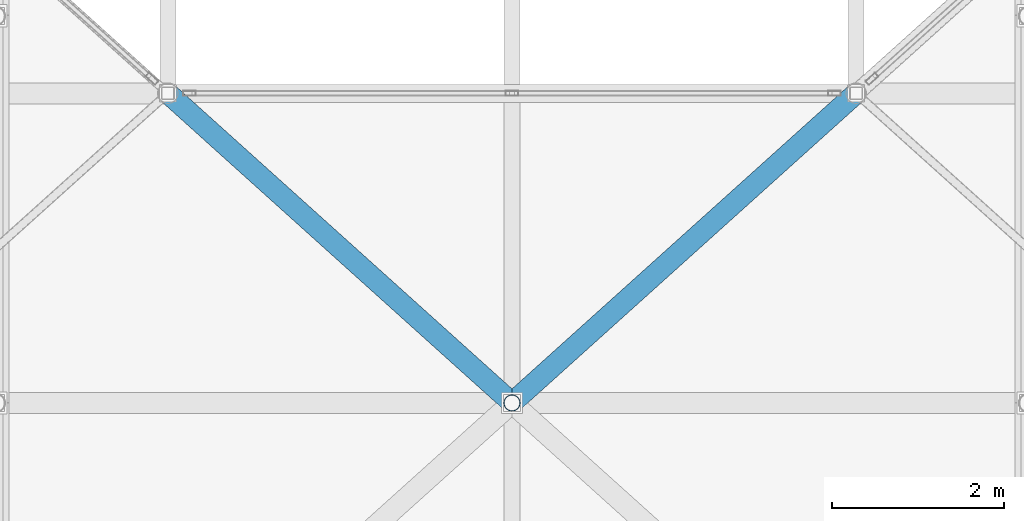
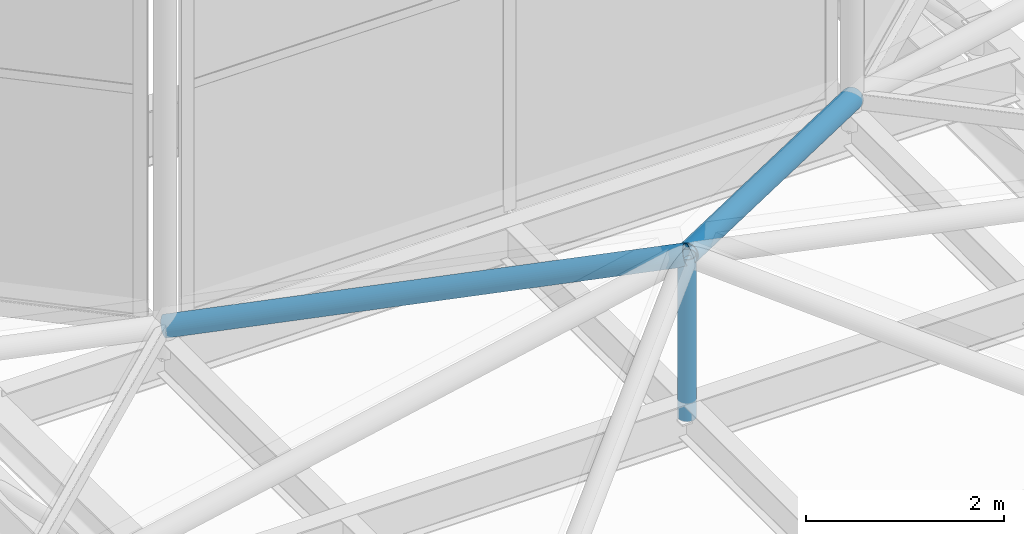
# One storey, part 114 of 239: 3 members.
"""IFC4 building model written with IfcOpenShell, lengths in metres."""

from ifc_helpers import new_model, si_unit, direction, frame, origin, origin_2d, place, context, subcontext, project, spatial, hollow_circle, extrude, material, material_profile, profile_set, type_object, element, save


model = new_model("IFC4")

# Units and contexts
model_context = context("Model", 3, precision=1e-05, world=origin(), true_north=direction((0.0, 1.0)))
body_context = subcontext(model_context, "Body", "Model", "MODEL_VIEW")
ifc_project = project(units=[si_unit("LENGTHUNIT", "METRE"), si_unit("AREAUNIT", "SQUARE_METRE"), si_unit("VOLUMEUNIT", "CUBIC_METRE"), si_unit("PLANEANGLEUNIT", "RADIAN"), si_unit("MASSUNIT", "GRAM", prefix="KILO")], contexts=[model_context])

# Site, building, storey
site_placement = place(None, origin())
site = spatial("IfcSite", under=ifc_project, at=site_placement, CompositionType="ELEMENT")
building_placement = place(site_placement, origin())
building = spatial("IfcBuilding", under=site, at=building_placement, Name="Dunvalen Ferry Terminal", CompositionType="ELEMENT")
storey_placement = place(building_placement, frame((0.0, 0.0, 9.840087890625)))
storey = spatial("IfcBuildingStorey", under=building, at=storey_placement, Name="L02", CompositionType="ELEMENT", Elevation=9.840087890625)

# Members
ifc_material = material(Name="Steel S355", Category="steel")
ifc_material_profile_1 = material_profile(ifc_material, hollow_circle(Radius=0.096923828125, WallThickness=0.008056640625, at=origin_2d()), Name="Steel S355")
ifc_profile_set_1 = profile_set([ifc_material_profile_1], Name="Steel S355")
member_type_1 = type_object("IfcMemberType", Name="STR-MB-CHS193", PredefinedType="STRUT", material=ifc_profile_set_1)
member_placement = place(storey_placement, frame((66.0, 68.39990234375, 0.77001953125), z_axis=(0.0, 0.0, 1.0), x_axis=(1.0, 0.0, 0.0)))
element("IfcMember", 1, at=member_placement, inside=storey, type_object=member_type_1, Name="HEX-31 Pyramid Apex Strut", PredefinedType="STRUT", context=body_context, shape_type="SweptSolid", body=[
    extrude(hollow_circle(Radius=0.096923828125, WallThickness=0.008056640625, at=origin_2d()), origin(), (0.0, 0.0, 1.0), 1.994873046875),
])
ifc_material_profile_2 = material_profile(ifc_material, hollow_circle(Radius=0.122314453125, WallThickness=0.010009765625, at=origin_2d()), Name="Steel S355")
ifc_profile_set_2 = profile_set([ifc_material_profile_2], Name="Steel S355")
member_type_2 = type_object("IfcMemberType", Name="STR-MB-CHS244", PredefinedType="STRUT", material=ifc_profile_set_2)
for number, where, z_axis, x_axis, name in (
    (2, (70.0, 72.0, 1.099853515625), (-0.710074680578, -0.639084548328, 0.295575520114), (0.668974757313, -0.743285123004, 0.0), "HEX-31 Pyramid Hip Rafter 5"),
    (3, (62.0, 72.0, 1.099853515625), (0.710074680578, -0.639084548328, 0.295575520114), (0.668974757313, 0.743285123004, 0.0), "HEX-31 Pyramid Hip Rafter 6"),
):
    element("IfcMember", number, at=place(storey_placement, frame(where, z_axis=z_axis, x_axis=x_axis)), inside=storey, type_object=member_type_2, Name=name, PredefinedType="STRUT", context=body_context, shape_type="SweptSolid", body=[
        extrude(hollow_circle(Radius=0.122314453125, WallThickness=0.010009765625, at=origin_2d()), origin(), (0.0, 0.0, 1.0), 5.63330078125),
    ])

save(model, "model.ifc")
